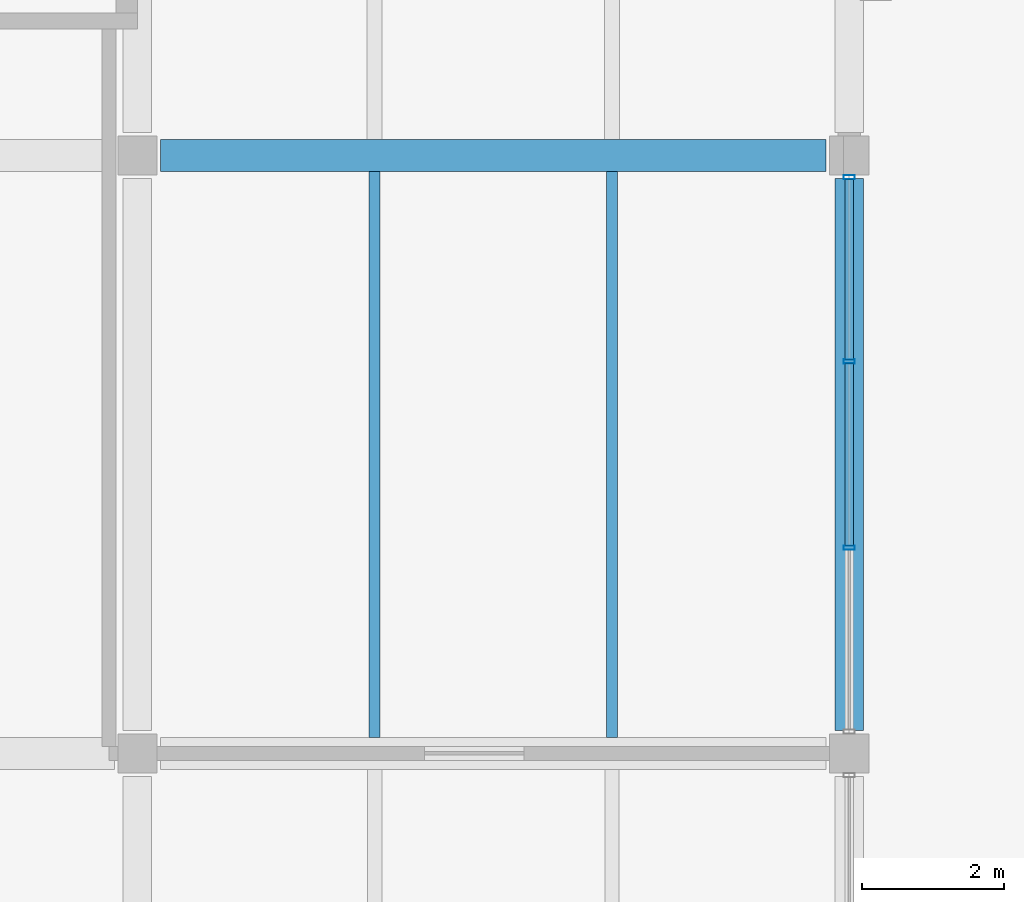
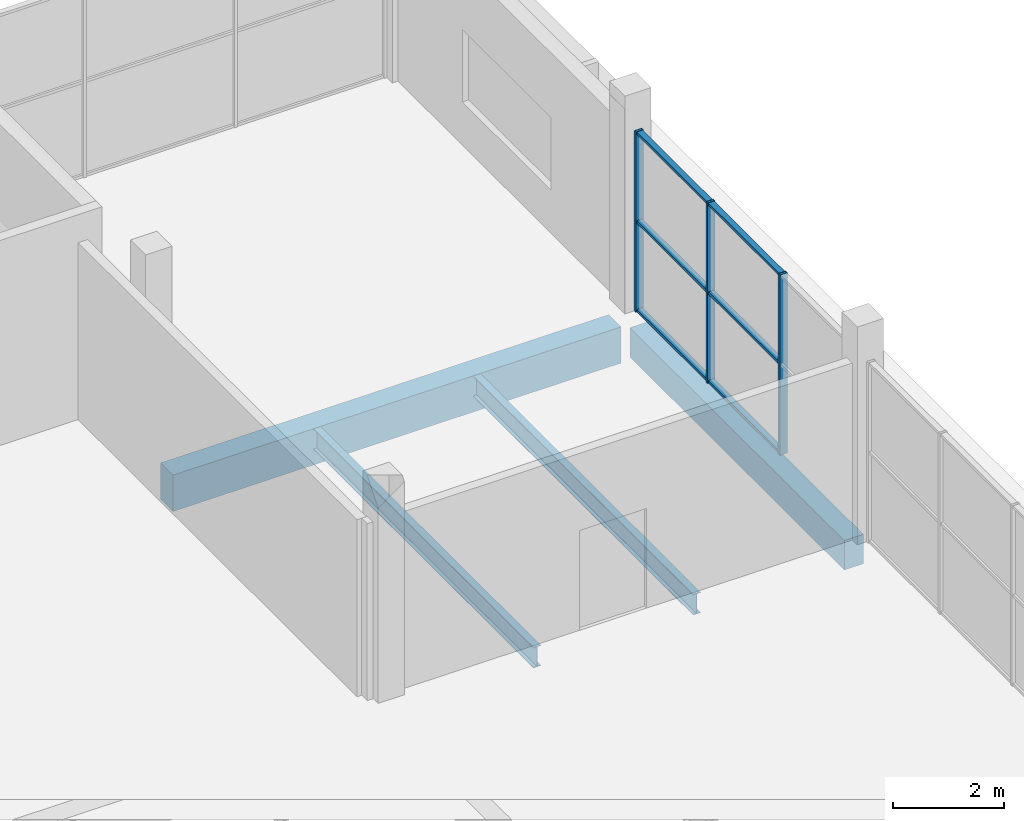
# One storey, part 80 of 130: 9 members, 4 beams, 1 element without a shape of its own.
"""IFC4 building model written with IfcOpenShell, lengths in metres."""

from ifc_helpers import new_model, si_unit, direction, frame, origin, origin_2d, place, context, subcontext, project, spatial, rectangle, hollow_rectangle, i_section, extrude, material, material_profile, profile_set, type_object, element, aggregate, save


model = new_model("IFC4")

# Units and contexts
model_context = context("Model", 3, precision=1e-05, world=origin(), true_north=direction((0.0, 1.0)))
body_context = subcontext(model_context, "Body", "Model", "MODEL_VIEW")
ifc_project = project(units=[si_unit("LENGTHUNIT", "METRE"), si_unit("AREAUNIT", "SQUARE_METRE"), si_unit("VOLUMEUNIT", "CUBIC_METRE"), si_unit("PLANEANGLEUNIT", "RADIAN"), si_unit("MASSUNIT", "GRAM", prefix="KILO"), si_unit("THERMODYNAMICTEMPERATUREUNIT", "KELVIN")], contexts=[model_context])

# Site, building, storey
site_placement = place(None, origin())
site = spatial("IfcSite", under=ifc_project, at=site_placement, CompositionType="ELEMENT")
building_placement = place(site_placement, origin())
building = spatial("IfcBuilding", under=site, at=building_placement, Name="Nduvali Passage Aquatics Centre", CompositionType="ELEMENT")
storey_placement = place(building_placement, origin())
storey = spatial("IfcBuildingStorey", under=building, at=storey_placement, Name="L00", CompositionType="ELEMENT", Elevation=0.0)

# Curtain wall, members
ifc_material_1 = material(Name="Aluminium EN AW-6063 T6", Category="aluminium")
curtain_wall_type = type_object("IfcCurtainWallType", Name="ENV-CW-FOYR", PredefinedType="NOTDEFINED", material=ifc_material_1)
curtain_wall_placement = place(storey_placement, origin())
curtain_wall = element("IfcCurtainWall", 1, at=curtain_wall_placement, inside=storey, type_object=curtain_wall_type, Name="L00 East Avenue Entrance Ground CW 089", PredefinedType="NOTDEFINED")
ifc_material_profile_1 = material_profile(ifc_material_1, hollow_rectangle(XDim=0.06005859375, YDim=0.159912109375, WallThickness=0.00390625, at=origin_2d()), Name="ALU MULLION 60x160x4")
ifc_profile_set_1 = profile_set([ifc_material_profile_1], Name="Aluminium EN AW-6063 T6")
member_type_1 = type_object("IfcMemberType", Name="ENV-MEM-MUL60", PredefinedType="MULLION", material=ifc_profile_set_1)
member_1_placement = place(storey_placement, frame((168.0, 78.49169921875, 0.0), z_axis=(0.0, 0.0, 1.0), x_axis=(0.0, 1.0, 0.0)))
member_1 = element("IfcMember", 2, at=member_1_placement, type_object=member_type_1, Name="East Avenue Entrance Ground CW Mullion 2", PredefinedType="MULLION", context=body_context, shape_type="SweptSolid", body=[
    extrude(hollow_rectangle(XDim=0.06005859375, YDim=0.159912109375, WallThickness=0.00390625, at=origin_2d()), origin(), (0.0, 0.0, 1.0), 3.976318359375),
])
member_2_placement = place(storey_placement, frame((168.0, 81.1083984375, 0.0), z_axis=(0.0, 0.0, 1.0), x_axis=(0.0, 1.0, 0.0)))
member_2 = element("IfcMember", 3, at=member_2_placement, type_object=member_type_1, Name="East Avenue Entrance Ground CW Mullion 3", PredefinedType="MULLION", context=body_context, shape_type="SweptSolid", body=[
    extrude(hollow_rectangle(XDim=0.06005859375, YDim=0.159912109375, WallThickness=0.00390625, at=origin_2d()), origin(), (0.0, 0.0, 1.0), 3.976318359375),
])
member_3_placement = place(storey_placement, frame((168.0, 83.695068359375, 0.0), z_axis=(0.0, 0.0, 1.0), x_axis=(0.0, 1.0, 0.0)))
member_3 = element("IfcMember", 4, at=member_3_placement, type_object=member_type_1, Name="East Avenue Entrance Ground CW Mullion 4", PredefinedType="MULLION", context=body_context, shape_type="SweptSolid", body=[
    extrude(hollow_rectangle(XDim=0.06005859375, YDim=0.159912109375, WallThickness=0.00390625, at=origin_2d()), origin(), (0.0, 0.0, 1.0), 3.976318359375),
])
ifc_material_profile_2 = material_profile(ifc_material_1, hollow_rectangle(XDim=0.1201171875, YDim=0.06005859375, WallThickness=0.00390625, at=origin_2d()), Name="ALU TRANSOM 120x60x4")
ifc_profile_set_2 = profile_set([ifc_material_profile_2], Name="Aluminium EN AW-6063 T6")
member_type_2 = type_object("IfcMemberType", Name="ENV-MEM-TRN60", PredefinedType="USERDEFINED", material=ifc_profile_set_2)
member_4_placement = place(storey_placement, frame((168.0, 78.521728515625, 0.030029296875), z_axis=(0.0, 1.0, 0.0), x_axis=(-1.0, 0.0, 0.0)))
member_4 = element("IfcMember", 5, at=member_4_placement, type_object=member_type_2, Name="East Avenue Entrance Ground CW Transom B2-R0", ObjectType="TRANSOM", PredefinedType="USERDEFINED", context=body_context, shape_type="SweptSolid", body=[
    extrude(hollow_rectangle(XDim=0.1201171875, YDim=0.06005859375, WallThickness=0.00390625, at=origin_2d()), origin(), (0.0, 0.0, 1.0), 2.556640625),
])
member_5_placement = place(storey_placement, frame((168.0, 78.521728515625, 1.98828125), z_axis=(0.0, 1.0, 0.0), x_axis=(-1.0, 0.0, 0.0)))
member_5 = element("IfcMember", 6, at=member_5_placement, type_object=member_type_2, Name="East Avenue Entrance Ground CW Transom B2-R1", ObjectType="TRANSOM", PredefinedType="USERDEFINED", context=body_context, shape_type="SweptSolid", body=[
    extrude(hollow_rectangle(XDim=0.1201171875, YDim=0.06005859375, WallThickness=0.00390625, at=origin_2d()), origin(), (0.0, 0.0, 1.0), 2.556640625),
])
member_6_placement = place(storey_placement, frame((168.0, 78.521728515625, 3.9462890625), z_axis=(0.0, 1.0, 0.0), x_axis=(-1.0, 0.0, 0.0)))
member_6 = element("IfcMember", 7, at=member_6_placement, type_object=member_type_2, Name="East Avenue Entrance Ground CW Transom B2-R2", ObjectType="TRANSOM", PredefinedType="USERDEFINED", context=body_context, shape_type="SweptSolid", body=[
    extrude(hollow_rectangle(XDim=0.1201171875, YDim=0.06005859375, WallThickness=0.00390625, at=origin_2d()), origin(), (0.0, 0.0, 1.0), 2.556640625),
])
member_7_placement = place(storey_placement, frame((168.0, 81.13818359375, 0.030029296875), z_axis=(0.0, 1.0, 0.0), x_axis=(-1.0, 0.0, 0.0)))
member_7 = element("IfcMember", 8, at=member_7_placement, type_object=member_type_2, Name="East Avenue Entrance Ground CW Transom B3-R0", ObjectType="TRANSOM", PredefinedType="USERDEFINED", context=body_context, shape_type="SweptSolid", body=[
    extrude(hollow_rectangle(XDim=0.1201171875, YDim=0.06005859375, WallThickness=0.00390625, at=origin_2d()), origin(), (0.0, 0.0, 1.0), 2.52685546875),
])
member_8_placement = place(storey_placement, frame((168.0, 81.13818359375, 1.98828125), z_axis=(0.0, 1.0, 0.0), x_axis=(-1.0, 0.0, 0.0)))
member_8 = element("IfcMember", 9, at=member_8_placement, type_object=member_type_2, Name="East Avenue Entrance Ground CW Transom B3-R1", ObjectType="TRANSOM", PredefinedType="USERDEFINED", context=body_context, shape_type="SweptSolid", body=[
    extrude(hollow_rectangle(XDim=0.1201171875, YDim=0.06005859375, WallThickness=0.00390625, at=origin_2d()), origin(), (0.0, 0.0, 1.0), 2.52685546875),
])
member_9_placement = place(storey_placement, frame((168.0, 81.13818359375, 3.9462890625), z_axis=(0.0, 1.0, 0.0), x_axis=(-1.0, 0.0, 0.0)))
member_9 = element("IfcMember", 10, at=member_9_placement, type_object=member_type_2, Name="East Avenue Entrance Ground CW Transom B3-R2", ObjectType="TRANSOM", PredefinedType="USERDEFINED", context=body_context, shape_type="SweptSolid", body=[
    extrude(hollow_rectangle(XDim=0.1201171875, YDim=0.06005859375, WallThickness=0.00390625, at=origin_2d()), origin(), (0.0, 0.0, 1.0), 2.52685546875),
])
aggregate(curtain_wall, [member_1, member_2, member_3, member_4, member_5, member_6, member_7, member_8, member_9])

# Beams
ifc_material_2 = material(Name="Concrete C40/50", Category="concrete")
ifc_material_profile_3 = material_profile(ifc_material_2, rectangle(XDim=0.449951171875, YDim=0.800048828125, at=origin_2d()), Name="RC 450x800")
ifc_profile_set_3 = profile_set([ifc_material_profile_3], Name="Concrete C40/50")
beam_type_1 = type_object("IfcBeamType", Name="STR-BM-RC4580", PredefinedType="BEAM", material=ifc_profile_set_3)
beam_1_placement = place(storey_placement, frame((158.324951171875, 84.0, -0.699951171875), z_axis=(1.0, 0.0, 0.0), x_axis=(0.0, 1.0, 0.0)))
element("IfcBeam", 11, at=beam_1_placement, inside=storey, type_object=beam_type_1, Name="L00 Primary X-Girder B2A-0084", PredefinedType="BEAM", context=body_context, shape_type="SweptSolid", body=[
    extrude(rectangle(XDim=0.449951171875, YDim=0.800048828125, at=origin_2d()), origin(), (0.0, 0.0, 1.0), 9.35009765625),
])
ifc_material_3 = material(Name="Steel S355", Category="steel")
ifc_material_profile_4 = material_profile(ifc_material_3, i_section(OverallWidth=0.15283203125, OverallDepth=0.45458984375, WebThickness=0.008056640625, FlangeThickness=0.01318359375, FilletRadius=0.01025390625, at=origin_2d()), Name="UKB 457x152x60")
ifc_profile_set_4 = profile_set([ifc_material_profile_4], Name="Steel S355")
beam_type_2 = type_object("IfcBeamType", Name="STR-JST-UKB457L", PredefinedType="JOIST", material=ifc_profile_set_4)
for number, where, z_axis, x_axis, name in (
    (12, (161.333251953125, 75.824951171875, -0.53125), (0.0, 1.0, 0.0), (-1.0, 0.0, 0.0), "L00 Secondary Joist J1A-0377"),
    (13, (164.666748046875, 75.824951171875, -0.53125), (0.0, 1.0, 0.0), (-1.0, 0.0, 0.0), "L00 Secondary Joist J1A-0378"),
):
    element("IfcBeam", number, at=place(storey_placement, frame(where, z_axis=z_axis, x_axis=x_axis)), inside=storey, type_object=beam_type_2, Name=name, PredefinedType="JOIST", context=body_context, shape_type="SweptSolid", body=[
        extrude(i_section(OverallWidth=0.15283203125, OverallDepth=0.45458984375, WebThickness=0.008056640625, FlangeThickness=0.01318359375, FilletRadius=0.01025390625, at=origin_2d()), origin(), (0.0, 0.0, 1.0), 7.949951171875),
    ])
ifc_material_profile_5 = material_profile(ifc_material_2, rectangle(XDim=0.39990234375, YDim=0.64990234375, at=origin_2d()), Name="RC 400x650")
ifc_profile_set_5 = profile_set([ifc_material_profile_5], Name="Concrete C40/50")
beam_type_3 = type_object("IfcBeamType", Name="STR-SPN-RC4065-EXT", PredefinedType="SPANDREL", material=ifc_profile_set_5)
beam_2_placement = place(storey_placement, frame((168.0, 75.925048828125, -0.625), z_axis=(0.0, 1.0, 0.0), x_axis=(-1.0, 0.0, 0.0)))
element("IfcBeam", 14, at=beam_2_placement, inside=storey, type_object=beam_type_3, Name="L00 Primary Y-Girder SP1E-0253", PredefinedType="SPANDREL", context=body_context, shape_type="SweptSolid", body=[
    extrude(rectangle(XDim=0.39990234375, YDim=0.64990234375, at=origin_2d()), origin(), (0.0, 0.0, 1.0), 7.75),
])

save(model, "model.ifc")
